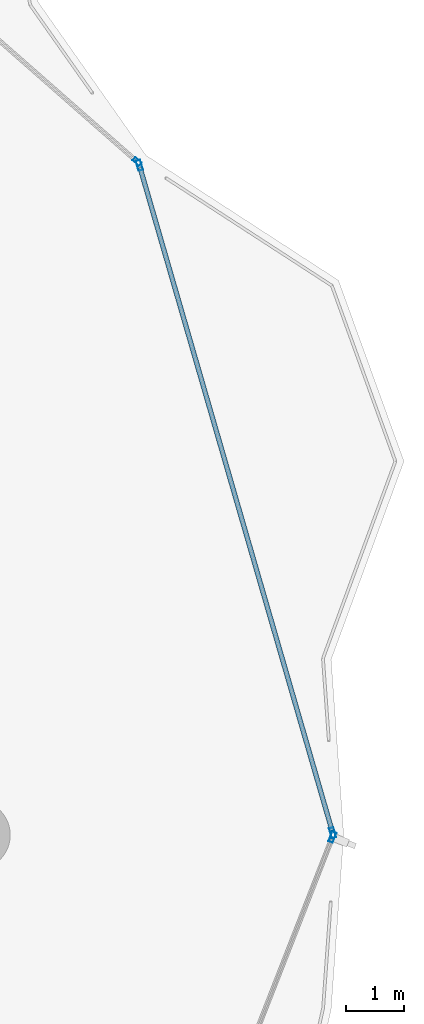
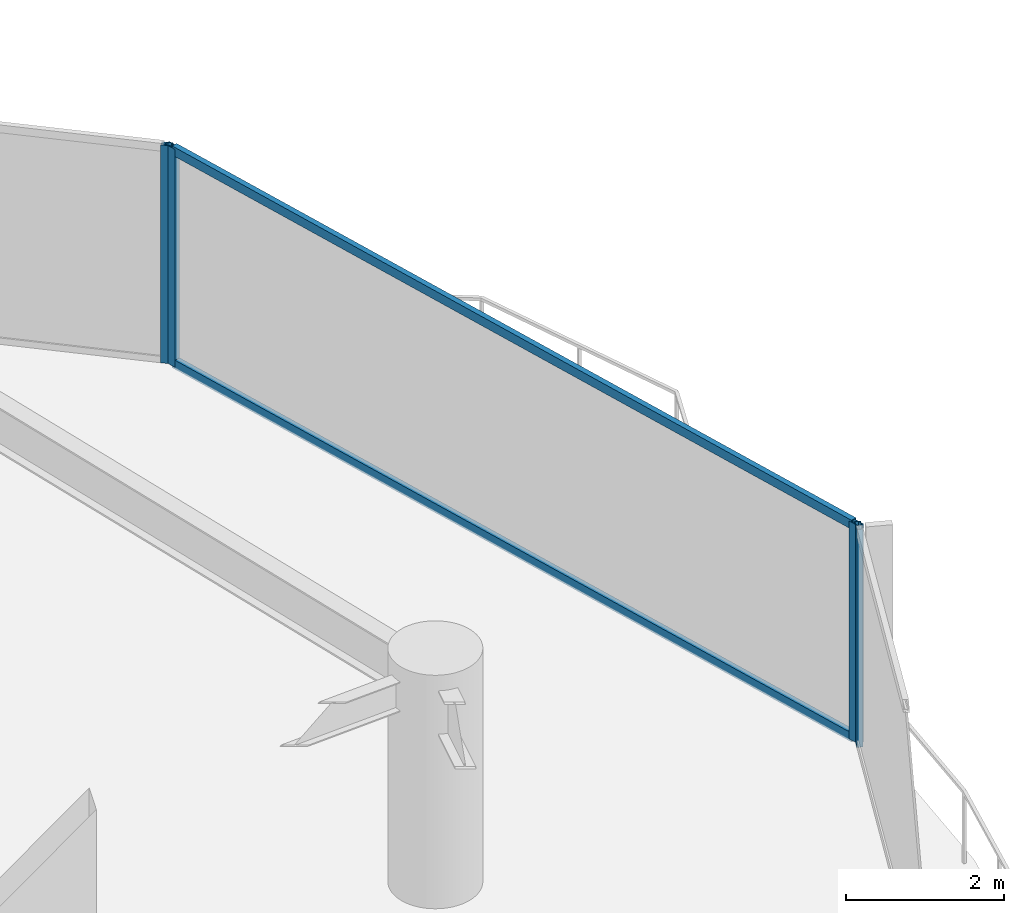
# One storey, part 24 of 34: 6 members, 3 elements without a shape of their own.
"""IFC4 building model written with IfcOpenShell, lengths in metres."""

from ifc_helpers import new_model, si_unit, direction, frame, origin, origin_2d, place, context, subcontext, project, spatial, hollow_rectangle, extrude, material, layer, layer_set, material_profile, profile_set, type_object, element, aggregate, save


model = new_model("IFC4")

# Units and contexts
model_context = context("Model", 3, precision=1e-05, world=origin(), true_north=direction((0.0, 1.0)))
body_context = subcontext(model_context, "Body", "Model", "MODEL_VIEW")
ifc_project = project(units=[si_unit("LENGTHUNIT", "METRE"), si_unit("AREAUNIT", "SQUARE_METRE"), si_unit("VOLUMEUNIT", "CUBIC_METRE"), si_unit("PLANEANGLEUNIT", "RADIAN"), si_unit("MASSUNIT", "GRAM", prefix="KILO")], contexts=[model_context])

# Site, building, storey
site_placement = place(None, origin())
site = spatial("IfcSite", under=ifc_project, at=site_placement, CompositionType="ELEMENT")
building_placement = place(site_placement, origin())
building = spatial("IfcBuilding", under=site, at=building_placement, Name="Kazevale Care Tower and Concert Hall", CompositionType="ELEMENT")
storey_placement = place(building_placement, frame((0.0, 0.0, 171.0)))
storey = spatial("IfcBuildingStorey", under=building, at=storey_placement, Name="L45", CompositionType="ELEMENT", Elevation=171.0)

# Curtain wall, member
ifc_material_1 = material(Name="Aluminium 6063-T6 and Low-E Glass", Category="aluminium")
ifc_layer_1 = layer(ifc_material_1, 0.179931640625)
ifc_layer_set_1 = layer_set([ifc_layer_1], Name="Aluminium 6063-T6 and Low-E Glass")
curtain_wall_type_1 = type_object("IfcCurtainWallType", Name="Convex Recessed Sunroom Curtain Wall CW-3", PredefinedType="NOTDEFINED", material=ifc_layer_set_1)
curtain_wall_1_placement = place(storey_placement, origin())
curtain_wall_1 = element("IfcCurtainWall", 1, at=curtain_wall_1_placement, inside=storey, type_object=curtain_wall_type_1, Name="cw:L45:f17", PredefinedType="NOTDEFINED")
ifc_material_2 = material(Name="Aluminium 6063-T6", Category="aluminium")
ifc_material_profile_1 = material_profile(ifc_material_2, hollow_rectangle(XDim=0.074951171875, YDim=0.14990234375, WallThickness=0.00390625, at=origin_2d()), Name="ALU75x150x4")
ifc_profile_set_1 = profile_set([ifc_material_profile_1], Name="Aluminium 6063-T6")
member_type_1 = type_object("IfcMemberType", Name="CW-3 Mullion ALU75x150x4", PredefinedType="MULLION", material=ifc_profile_set_1)
member_1_placement = place(storey_placement, frame((75.837890625, 49.607666015625, 0.0), z_axis=(0.0, 0.0, 1.0), x_axis=(0.659891732197, 0.751360700182, 0.0)))
member_1 = element("IfcMember", 2, at=member_1_placement, type_object=member_type_1, Name="CW-3 mullion 2", PredefinedType="MULLION", context=body_context, shape_type="SweptSolid", body=[
    extrude(hollow_rectangle(XDim=0.074951171875, YDim=0.14990234375, WallThickness=0.00390625, at=origin_2d()), origin(), (0.0, 0.0, 1.0), 3.360107421875),
])
aggregate(curtain_wall_1, [member_1])

ifc_layer_2 = layer(ifc_material_1, 0.179931640625)
ifc_layer_set_2 = layer_set([ifc_layer_2], Name="Aluminium 6063-T6 and Low-E Glass")
curtain_wall_type_2 = type_object("IfcCurtainWallType", Name="Waist & Upper Residential Curtain Wall CW-4", PredefinedType="NOTDEFINED", material=ifc_layer_set_2)
curtain_wall_2_placement = place(storey_placement, origin())
curtain_wall_2 = element("IfcCurtainWall", 3, at=curtain_wall_2_placement, inside=storey, type_object=curtain_wall_type_2, Name="cw:L45:f01", PredefinedType="NOTDEFINED")
ifc_material_profile_2 = material_profile(ifc_material_2, hollow_rectangle(XDim=0.080078125, YDim=0.179931640625, WallThickness=0.0048828125, at=origin_2d()), Name="ALU80x180x5")
ifc_profile_set_2 = profile_set([ifc_material_profile_2], Name="Aluminium 6063-T6")
member_type_2 = type_object("IfcMemberType", Name="CW-4 Mullion ALU80x180x5", PredefinedType="MULLION", material=ifc_profile_set_2)
member_2_placement = place(storey_placement, frame((79.205322265625, 37.962646484375, 0.0), z_axis=(0.0, 0.0, 1.0), x_axis=(0.931351746651, -0.36412075471, 0.0)))
member_2 = element("IfcMember", 4, at=member_2_placement, type_object=member_type_2, Name="CW-4 mullion 1", PredefinedType="MULLION", context=body_context, shape_type="SweptSolid", body=[
    extrude(hollow_rectangle(XDim=0.080078125, YDim=0.179931640625, WallThickness=0.0048828125, at=origin_2d()), origin(), (0.0, 0.0, 1.0), 3.360107421875),
])
aggregate(curtain_wall_2, [member_2])

# Curtain wall, members
curtain_wall_3_placement = place(storey_placement, origin())
curtain_wall_3 = element("IfcCurtainWall", 5, at=curtain_wall_3_placement, inside=storey, type_object=curtain_wall_type_2, Name="cw:L45:f18", PredefinedType="NOTDEFINED")
member_3_placement = place(storey_placement, frame((75.877197265625, 49.544677734375, 0.0), z_axis=(0.0, 0.0, 1.0), x_axis=(0.960541529182, 0.278136604418, 0.0)))
member_3 = element("IfcMember", 6, at=member_3_placement, type_object=member_type_2, Name="CW-4 mullion 1", PredefinedType="MULLION", context=body_context, shape_type="SweptSolid", body=[
    extrude(hollow_rectangle(XDim=0.080078125, YDim=0.179931640625, WallThickness=0.0048828125, at=origin_2d()), origin(), (0.0, 0.0, 1.0), 3.360107421875),
])
member_4_placement = place(storey_placement, frame((79.208984375, 38.038330078125, 0.0), z_axis=(0.0, 0.0, 1.0), x_axis=(0.960541529182, 0.278136604418, 0.0)))
member_4 = element("IfcMember", 7, at=member_4_placement, type_object=member_type_2, Name="CW-4 mullion 2", PredefinedType="MULLION", context=body_context, shape_type="SweptSolid", body=[
    extrude(hollow_rectangle(XDim=0.080078125, YDim=0.179931640625, WallThickness=0.0048828125, at=origin_2d()), origin(), (0.0, 0.0, 1.0), 3.360107421875),
])
ifc_material_profile_3 = material_profile(ifc_material_2, hollow_rectangle(XDim=0.080078125, YDim=0.139892578125, WallThickness=0.00390625, at=origin_2d()), Name="ALU80x140x4")
ifc_profile_set_3 = profile_set([ifc_material_profile_3], Name="Aluminium 6063-T6")
member_type_3 = type_object("IfcMemberType", Name="CW-4 Transom ALU80x140x4", PredefinedType="USERDEFINED", material=ifc_profile_set_3)
member_5_placement = place(storey_placement, frame((75.88818359375, 49.506103515625, 0.0400390625), z_axis=(0.278144763179, -0.960539166675, 0.0), x_axis=(0.960539166675, 0.278144763179, 0.0)))
member_5 = element("IfcMember", 8, at=member_5_placement, type_object=member_type_3, Name="CW-4 transom 1.1", ObjectType="TRANSOM", PredefinedType="USERDEFINED", context=body_context, shape_type="SweptSolid", body=[
    extrude(hollow_rectangle(XDim=0.080078125, YDim=0.139892578125, WallThickness=0.00390625, at=origin_2d()), origin(), (0.0, 0.0, 1.0), 11.898681640625),
])
member_6_placement = place(storey_placement, frame((75.88818359375, 49.506103515625, 3.320068359375), z_axis=(0.278144763179, -0.960539166675, 0.0), x_axis=(0.960539166675, 0.278144763179, 0.0)))
member_6 = element("IfcMember", 9, at=member_6_placement, type_object=member_type_3, Name="CW-4 transom 1.2", ObjectType="TRANSOM", PredefinedType="USERDEFINED", context=body_context, shape_type="SweptSolid", body=[
    extrude(hollow_rectangle(XDim=0.080078125, YDim=0.139892578125, WallThickness=0.00390625, at=origin_2d()), origin(), (0.0, 0.0, 1.0), 11.898681640625),
])
aggregate(curtain_wall_3, [member_3, member_4, member_5, member_6])

save(model, "model.ifc")
